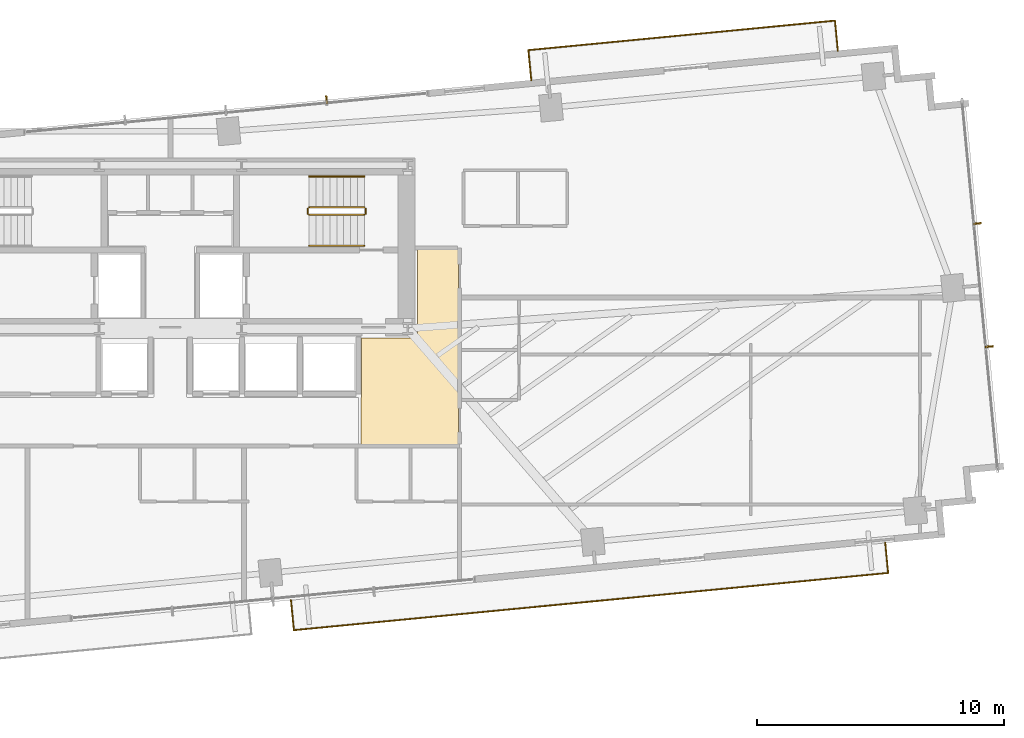
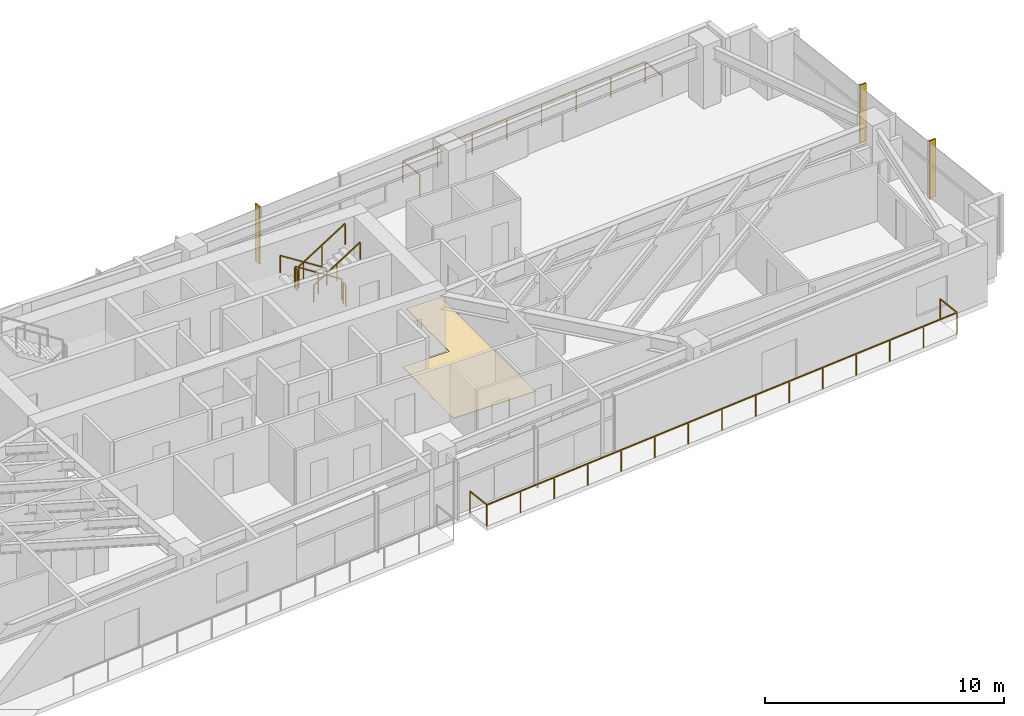
# One storey, part 27 of 27: 8 railings, 3 shading devices, 1 covering.
"""IFC4 building model written with IfcOpenShell, lengths in metres."""

from ifc_helpers import new_model, si_unit, direction, frame, origin, origin_2d, place, context, subcontext, project, spatial, polyline, rectangle, outline, extrude, source, transform, mapped, material, layer, layer_set, type_object, type_shapes, element, save


model = new_model("IFC4")

# Units and contexts
model_context = context("Model", 3, precision=1e-05, world=origin(), true_north=direction((0.0, 1.0)))
body_context = subcontext(model_context, "Body", "Model", "MODEL_VIEW")
ifc_project = project(units=[si_unit("LENGTHUNIT", "METRE"), si_unit("AREAUNIT", "SQUARE_METRE"), si_unit("VOLUMEUNIT", "CUBIC_METRE"), si_unit("PLANEANGLEUNIT", "RADIAN"), si_unit("MASSUNIT", "GRAM", prefix="KILO")], contexts=[model_context])

# Site, building, storey
site_placement = place(None, origin())
site = spatial("IfcSite", under=ifc_project, at=site_placement, CompositionType="ELEMENT")
building_placement = place(site_placement, origin())
building = spatial("IfcBuilding", under=site, at=building_placement, Name="Astriad Promenade Condominiums", CompositionType="ELEMENT")
storey_placement = place(building_placement, frame((0.0, 0.0, 109.800048828125)))
storey = spatial("IfcBuildingStorey", under=building, at=storey_placement, Name="L31", CompositionType="ELEMENT", Elevation=109.800048828125)

# Covering
ifc_material_1 = material(Name="Polished Lakefront Terrazzo Flooring")
ifc_layer = layer(ifc_material_1, 0.02001953125)
ifc_layer_set = layer_set([ifc_layer], Name="Polished Lakefront Terrazzo Flooring")
covering_type = type_object("IfcCoveringType", Name="COV-FLOR-TERRAZZO-20", PredefinedType="FLOORING", material=ifc_layer_set)
covering_placement = place(storey_placement, origin())
element("IfcCovering", 1, at=covering_placement, inside=storey, type_object=covering_type, Name="FLR-L31-COR-1", PredefinedType="FLOORING", context=body_context, shape_type="SweptSolid", body=[
    extrude(outline(polyline([(43.699951171875, 12.68994140625), (43.699951171875, 14.610107421875), (43.703857421875, 14.610107421875), (43.707763671875, 14.61083984375), (43.711669921875, 14.61181640625), (43.71533203125, 14.613037109375), (43.718994140625, 14.61474609375), (43.72216796875, 14.61669921875), (43.725341796875, 14.619140625), (43.728271484375, 14.62158203125), (43.73095703125, 14.62451171875), (43.7333984375, 14.627685546875), (43.7353515625, 14.631103515625), (43.737060546875, 14.634765625), (43.73828125, 14.638427734375), (43.7392578125, 14.64208984375), (43.73974609375, 14.64599609375), (43.739990234375, 14.64990234375), (43.739990234375, 17.010009765625), (45.949951171875, 17.010009765625), (45.953857421875, 17.01025390625), (45.957763671875, 17.0107421875), (45.961669921875, 17.01171875), (45.96533203125, 17.012939453125), (45.968994140625, 17.0146484375), (45.97216796875, 17.0166015625), (45.975341796875, 17.01904296875), (45.978271484375, 17.021728515625), (45.98095703125, 17.024658203125), (45.9833984375, 17.02783203125), (45.9853515625, 17.031005859375), (45.987060546875, 17.03466796875), (45.98828125, 17.038330078125), (45.9892578125, 17.042236328125), (45.98974609375, 17.046142578125), (45.989990234375, 17.050048828125), (45.989990234375, 20.610107421875), (47.659912109375, 20.610107421875), (47.659912109375, 12.68994140625), (43.699951171875, 12.68994140625)])), origin(), (0.0, 0.0, 1.0), 0.02001953125),
])

# Shading devices
ifc_material_2 = material(Name="Anodised aluminium 6063-T6 Black Fin", Category="aluminium")
shading_device_type = type_object("IfcShadingDeviceType", Name="FIN-BLACK-320", PredefinedType="USERDEFINED", material=ifc_material_2)
shared_shape_1 = source(origin(), body_context, "Body", "SweptSolid", [
    extrude(rectangle(XDim=0.06494140625, YDim=0.320068359375, at=origin_2d()), origin(), (0.0, 0.0, 1.0), 2.93994140625),
])
type_shapes(shading_device_type, [shared_shape_1])
for number, where, z_axis, x_axis, name in (
    (2, (42.31689453125, 26.656494140625, 0.0), (0.0, 0.0, 1.0), (0.995396198367, 0.09584575252, 0.0), "CW-L31-N-FIN-03"),
    (3, (68.63330078125, 21.6455078125, 0.0), (0.0, 0.0, 1.0), (0.09584575252, -0.995396198367, 0.0), "CW-L31-E-FIN-01"),
    (4, (69.1123046875, 16.668701171875, 0.0), (0.0, 0.0, 1.0), (0.09584575252, -0.995396198367, 0.0), "CW-L31-E-FIN-02"),
):
    element("IfcShadingDevice", number, at=place(storey_placement, frame(where, z_axis=z_axis, x_axis=x_axis)), inside=storey, type_object=shading_device_type, Name=name, ObjectType="FIN", PredefinedType="USERDEFINED", context=body_context, shape_type="MappedRepresentation", body=[
        mapped(shared_shape_1, transform((0.0, 0.0, 0.0), scale=1.0)),
    ])

# Railings
ifc_material_3 = material(Name="Laminated Glass and Stainless Steel Balustrade", Category="steel")
railing_type_1 = type_object("IfcRailingType", Name="GRD-BALC-1120", PredefinedType="BALUSTRADE", material=ifc_material_3)
shared_shape_2 = source(origin(), body_context, "Body", "SweptSolid", [
    extrude(rectangle(XDim=0.048095703125, YDim=0.048095703125, at=origin_2d()), frame((0.0, 0.0, 1.09619140625), z_axis=(0.095857307208, -0.99539508571, 0.0), x_axis=(0.99539508571, 0.095857307208, 0.0)), (0.0, 0.0, 1.0), 1.219970703125),
    extrude(rectangle(XDim=0.048095703125, YDim=0.048095703125, at=origin_2d()), frame((0.116943359375, -1.21435546875, 1.09619140625), z_axis=(0.995396681995, 0.095840729718, 0.0), x_axis=(-0.095840729718, 0.995396681995, 0.0)), (0.0, 0.0, 1.0), 24.143798828125),
    extrude(rectangle(XDim=0.048095703125, YDim=0.048095703125, at=origin_2d()), frame((24.149658203125, 1.099609375, 1.09619140625), z_axis=(-0.095857307208, 0.99539508571, 0.0), x_axis=(-0.99539508571, -0.095857307208, 0.0)), (0.0, 0.0, 1.0), 1.219970703125),
    extrude(rectangle(XDim=0.0419921875, YDim=0.0419921875, at=origin_2d()), origin(), (0.0, 0.0, 1.0), 1.072021484375),
    extrude(rectangle(XDim=0.0419921875, YDim=0.0419921875, at=origin_2d()), frame((0.116943359375, -1.21435546875, 0.0)), (0.0, 0.0, 1.0), 1.072021484375),
    extrude(rectangle(XDim=0.0419921875, YDim=0.0419921875, at=origin_2d()), frame((1.83349609375, -1.049072265625, 0.0)), (0.0, 0.0, 1.0), 1.072021484375),
    extrude(rectangle(XDim=0.0419921875, YDim=0.0419921875, at=origin_2d()), frame((3.55029296875, -0.8837890625, 0.0)), (0.0, 0.0, 1.0), 1.072021484375),
    extrude(rectangle(XDim=0.0419921875, YDim=0.0419921875, at=origin_2d()), frame((5.266845703125, -0.718505859375, 0.0)), (0.0, 0.0, 1.0), 1.072021484375),
    extrude(rectangle(XDim=0.0419921875, YDim=0.0419921875, at=origin_2d()), frame((6.9833984375, -0.55322265625, 0.0)), (0.0, 0.0, 1.0), 1.072021484375),
    extrude(rectangle(XDim=0.0419921875, YDim=0.0419921875, at=origin_2d()), frame((8.699951171875, -0.387939453125, 0.0)), (0.0, 0.0, 1.0), 1.072021484375),
    extrude(rectangle(XDim=0.0419921875, YDim=0.0419921875, at=origin_2d()), frame((10.416748046875, -0.22265625, 0.0)), (0.0, 0.0, 1.0), 1.072021484375),
    extrude(rectangle(XDim=0.0419921875, YDim=0.0419921875, at=origin_2d()), frame((12.13330078125, -0.057373046875, 0.0)), (0.0, 0.0, 1.0), 1.072021484375),
    extrude(rectangle(XDim=0.0419921875, YDim=0.0419921875, at=origin_2d()), frame((13.849853515625, 0.10791015625, 0.0)), (0.0, 0.0, 1.0), 1.072021484375),
    extrude(rectangle(XDim=0.0419921875, YDim=0.0419921875, at=origin_2d()), frame((15.566650390625, 0.273193359375, 0.0)), (0.0, 0.0, 1.0), 1.072021484375),
    extrude(rectangle(XDim=0.0419921875, YDim=0.0419921875, at=origin_2d()), frame((17.283203125, 0.4384765625, 0.0)), (0.0, 0.0, 1.0), 1.072021484375),
    extrude(rectangle(XDim=0.0419921875, YDim=0.0419921875, at=origin_2d()), frame((18.999755859375, 0.603759765625, 0.0)), (0.0, 0.0, 1.0), 1.072021484375),
    extrude(rectangle(XDim=0.0419921875, YDim=0.0419921875, at=origin_2d()), frame((20.71630859375, 0.76904296875, 0.0)), (0.0, 0.0, 1.0), 1.072021484375),
    extrude(rectangle(XDim=0.0419921875, YDim=0.0419921875, at=origin_2d()), frame((22.43310546875, 0.934326171875, 0.0)), (0.0, 0.0, 1.0), 1.072021484375),
    extrude(rectangle(XDim=0.0419921875, YDim=0.0419921875, at=origin_2d()), frame((24.149658203125, 1.099609375, 0.0)), (0.0, 0.0, 1.0), 1.072021484375),
    extrude(rectangle(XDim=0.0419921875, YDim=0.0419921875, at=origin_2d()), frame((24.03271484375, 2.31396484375, 0.0)), (0.0, 0.0, 1.0), 1.072021484375),
])
railing_1_placement = place(storey_placement, frame((40.877197265625, 6.415283203125, 0.0)))
element("IfcRailing", 5, at=railing_1_placement, inside=storey, type_object=railing_type_1, Name="GRD-BALC-L31-SE", PredefinedType="BALUSTRADE", context=body_context, shape_type="MappedRepresentation", body=[
    mapped(shared_shape_2, transform((0.0, 0.0, 0.0), scale=1.0)),
])
shared_shape_3 = source(origin(), body_context, "Body", "SweptSolid", [
    extrude(rectangle(XDim=0.048095703125, YDim=0.048095703125, at=origin_2d()), frame((0.0, 0.0, 1.09619140625), z_axis=(-0.095857307208, 0.99539508571, 0.0), x_axis=(-0.99539508571, -0.095857307208, 0.0)), (0.0, 0.0, 1.0), 1.219970703125),
    extrude(rectangle(XDim=0.048095703125, YDim=0.048095703125, at=origin_2d()), frame((-0.116943359375, 1.21435546875, 1.09619140625), z_axis=(-0.99539627188, -0.095844989062, 0.0), x_axis=(0.095844989062, -0.99539627188, 0.0)), (0.0, 0.0, 1.0), 12.4560546875),
    extrude(rectangle(XDim=0.048095703125, YDim=0.048095703125, at=origin_2d()), frame((-12.515625, 0.0205078125, 1.09619140625), z_axis=(0.095857307208, -0.99539508571, 0.0), x_axis=(0.99539508571, 0.095857307208, 0.0)), (0.0, 0.0, 1.0), 1.219970703125),
    extrude(rectangle(XDim=0.0419921875, YDim=0.0419921875, at=origin_2d()), origin(), (0.0, 0.0, 1.0), 1.072021484375),
    extrude(rectangle(XDim=0.0419921875, YDim=0.0419921875, at=origin_2d()), frame((-0.116943359375, 1.21435546875, 0.0)), (0.0, 0.0, 1.0), 1.072021484375),
    extrude(rectangle(XDim=0.0419921875, YDim=0.0419921875, at=origin_2d()), frame((-1.88818359375, 1.043701171875, 0.0)), (0.0, 0.0, 1.0), 1.072021484375),
    extrude(rectangle(XDim=0.0419921875, YDim=0.0419921875, at=origin_2d()), frame((-3.659423828125, 0.873291015625, 0.0)), (0.0, 0.0, 1.0), 1.072021484375),
    extrude(rectangle(XDim=0.0419921875, YDim=0.0419921875, at=origin_2d()), frame((-5.4306640625, 0.70263671875, 0.0)), (0.0, 0.0, 1.0), 1.072021484375),
    extrude(rectangle(XDim=0.0419921875, YDim=0.0419921875, at=origin_2d()), frame((-7.201904296875, 0.5322265625, 0.0)), (0.0, 0.0, 1.0), 1.072021484375),
    extrude(rectangle(XDim=0.0419921875, YDim=0.0419921875, at=origin_2d()), frame((-8.97314453125, 0.361572265625, 0.0)), (0.0, 0.0, 1.0), 1.072021484375),
    extrude(rectangle(XDim=0.0419921875, YDim=0.0419921875, at=origin_2d()), frame((-10.744384765625, 0.191162109375, 0.0)), (0.0, 0.0, 1.0), 1.072021484375),
    extrude(rectangle(XDim=0.0419921875, YDim=0.0419921875, at=origin_2d()), frame((-12.515625, 0.0205078125, 0.0)), (0.0, 0.0, 1.0), 1.072021484375),
    extrude(rectangle(XDim=0.0419921875, YDim=0.0419921875, at=origin_2d()), frame((-12.398681640625, -1.19384765625, 0.0)), (0.0, 0.0, 1.0), 1.072021484375),
])
type_shapes(railing_type_1, [shared_shape_2, shared_shape_3])
railing_2_placement = place(storey_placement, frame((62.9931640625, 28.63720703125, 0.0)))
element("IfcRailing", 6, at=railing_2_placement, inside=storey, type_object=railing_type_1, Name="GRD-BALC-L31-NE", PredefinedType="BALUSTRADE", context=body_context, shape_type="MappedRepresentation", body=[
    mapped(shared_shape_3, transform((0.0, 0.0, 0.0), scale=1.0)),
])
ifc_material_4 = material(Name="Painted Galvanised Steel Guardrail", Category="steel")
railing_type_2 = type_object("IfcRailingType", Name="GRD-STAIR-1100", PredefinedType="GUARDRAIL", material=ifc_material_4)
shared_shape_4 = source(origin(), body_context, "Body", "SweptSolid", [
    extrude(rectangle(XDim=0.048095703125, YDim=0.048095703125, at=origin_2d()), frame((0.0, 0.0, 1.076171875), z_axis=(-0.8442293374, 0.0, 0.53598211339), x_axis=(0.0, -1.0, 0.0)), (0.0, 0.0, 1.0), 2.6533203125),
    extrude(rectangle(XDim=0.0419921875, YDim=0.0419921875, at=origin_2d()), origin(), (0.0, 0.0, 1.0), 1.052001953125),
    extrude(rectangle(XDim=0.0419921875, YDim=0.0419921875, at=origin_2d()), frame((-1.1201171875, 0.0, 0.7109375)), (0.0, 0.0, 1.0), 1.052001953125),
    extrude(rectangle(XDim=0.0419921875, YDim=0.0419921875, at=origin_2d()), frame((-2.239990234375, 0.0, 1.422119140625)), (0.0, 0.0, 1.0), 1.052001953125),
])
railing_3_placement = place(storey_placement, frame((43.85009765625, 22.300048828125, 0.177734375)))
element("IfcRailing", 7, at=railing_3_placement, inside=storey, type_object=railing_type_2, Name="L31 ST-2 stair guard 1", PredefinedType="GUARDRAIL", context=body_context, shape_type="MappedRepresentation", body=[
    mapped(shared_shape_4, transform((0.0, 0.0, 0.0), scale=1.0)),
])
ifc_material_5 = material(Name="Brushed Stainless Steel Handrail", Category="steel")
railing_type_3 = type_object("IfcRailingType", Name="HRL-STAIR-920", PredefinedType="HANDRAIL", material=ifc_material_5)
shared_shape_5 = source(origin(), body_context, "Body", "SweptSolid", [
    extrude(rectangle(XDim=0.048095703125, YDim=0.048095703125, at=origin_2d()), frame((0.0, 0.0, 0.8759765625), z_axis=(-0.8442293374, 0.0, 0.53598211339), x_axis=(0.0, -1.0, 0.0)), (0.0, 0.0, 1.0), 2.6533203125),
    extrude(rectangle(XDim=0.0419921875, YDim=0.0419921875, at=origin_2d()), origin(), (0.0, 0.0, 1.0), 0.851806640625),
    extrude(rectangle(XDim=0.0419921875, YDim=0.0419921875, at=origin_2d()), frame((-1.1201171875, 0.0, 0.7109375)), (0.0, 0.0, 1.0), 0.851806640625),
    extrude(rectangle(XDim=0.0419921875, YDim=0.0419921875, at=origin_2d()), frame((-2.239990234375, 0.0, 1.422119140625)), (0.0, 0.0, 1.0), 0.851806640625),
])
railing_4_placement = place(storey_placement, frame((43.85009765625, 23.550048828125, 0.177734375)))
element("IfcRailing", 8, at=railing_4_placement, inside=storey, type_object=railing_type_3, Name="L31 ST-2 stair handrail 1", PredefinedType="HANDRAIL", context=body_context, shape_type="MappedRepresentation", body=[
    mapped(shared_shape_5, transform((0.0, 0.0, 0.0), scale=1.0)),
])
shared_shape_6 = source(origin(), body_context, "Body", "SweptSolid", [
    extrude(rectangle(XDim=0.048095703125, YDim=0.048095703125, at=origin_2d()), frame((0.0, 0.0, 1.076171875), z_axis=(0.8442293374, 0.0, 0.53598211339), x_axis=(0.0, 1.0, 0.0)), (0.0, 0.0, 1.0), 2.6533203125),
    extrude(rectangle(XDim=0.0419921875, YDim=0.0419921875, at=origin_2d()), origin(), (0.0, 0.0, 1.0), 1.052001953125),
    extrude(rectangle(XDim=0.0419921875, YDim=0.0419921875, at=origin_2d()), frame((1.1201171875, 0.0, 0.7109375)), (0.0, 0.0, 1.0), 1.052001953125),
    extrude(rectangle(XDim=0.0419921875, YDim=0.0419921875, at=origin_2d()), frame((2.239990234375, 0.0, 1.422119140625)), (0.0, 0.0, 1.0), 1.052001953125),
])
railing_5_placement = place(storey_placement, frame((41.610107421875, 22.0, 1.77783203125)))
element("IfcRailing", 9, at=railing_5_placement, inside=storey, type_object=railing_type_2, Name="L31 ST-2 stair guard 3", PredefinedType="GUARDRAIL", context=body_context, shape_type="MappedRepresentation", body=[
    mapped(shared_shape_6, transform((0.0, 0.0, 0.0), scale=1.0)),
])
shared_shape_7 = source(origin(), body_context, "Body", "SweptSolid", [
    extrude(rectangle(XDim=0.048095703125, YDim=0.048095703125, at=origin_2d()), frame((0.0, 0.0, 0.8759765625), z_axis=(0.8442293374, 0.0, 0.53598211339), x_axis=(0.0, 1.0, 0.0)), (0.0, 0.0, 1.0), 2.6533203125),
    extrude(rectangle(XDim=0.0419921875, YDim=0.0419921875, at=origin_2d()), origin(), (0.0, 0.0, 1.0), 0.851806640625),
    extrude(rectangle(XDim=0.0419921875, YDim=0.0419921875, at=origin_2d()), frame((1.1201171875, 0.0, 0.7109375)), (0.0, 0.0, 1.0), 0.851806640625),
    extrude(rectangle(XDim=0.0419921875, YDim=0.0419921875, at=origin_2d()), frame((2.239990234375, 0.0, 1.422119140625)), (0.0, 0.0, 1.0), 0.851806640625),
])
type_shapes(railing_type_3, [shared_shape_5, shared_shape_7])
railing_6_placement = place(storey_placement, frame((41.610107421875, 20.75, 1.77783203125)))
element("IfcRailing", 10, at=railing_6_placement, inside=storey, type_object=railing_type_3, Name="L31 ST-2 stair handrail 2", PredefinedType="HANDRAIL", context=body_context, shape_type="MappedRepresentation", body=[
    mapped(shared_shape_7, transform((0.0, 0.0, 0.0), scale=1.0)),
])
shared_shape_8 = source(origin(), body_context, "Body", "SweptSolid", [
    extrude(rectangle(XDim=0.048095703125, YDim=0.048095703125, at=origin_2d()), frame((0.0, 0.0, 1.076171875), z_axis=(0.0, -1.0, 0.0), x_axis=(1.0, 0.0, 0.0)), (0.0, 0.0, 1.0), 0.199951171875),
    extrude(rectangle(XDim=0.0419921875, YDim=0.0419921875, at=origin_2d()), origin(), (0.0, 0.0, 1.0), 1.052001953125),
    extrude(rectangle(XDim=0.0419921875, YDim=0.0419921875, at=origin_2d()), frame((0.0, -0.199951171875, 0.0)), (0.0, 0.0, 1.0), 1.052001953125),
])
type_shapes(railing_type_2, [shared_shape_4, shared_shape_6, shared_shape_8])
for number, where, name in (
    (11, (41.56005859375, 22.25, 1.599853515625), "L31 ST-2 stair guard 2"),
    (12, (43.89990234375, 22.25, 0.0), "L31 ST-2 stair guard 4"),
):
    element("IfcRailing", number, at=place(storey_placement, frame(where)), inside=storey, type_object=railing_type_2, Name=name, PredefinedType="GUARDRAIL", context=body_context, shape_type="MappedRepresentation", body=[
        mapped(shared_shape_8, transform((0.0, 0.0, 0.0), scale=1.0)),
    ])

save(model, "model.ifc")
